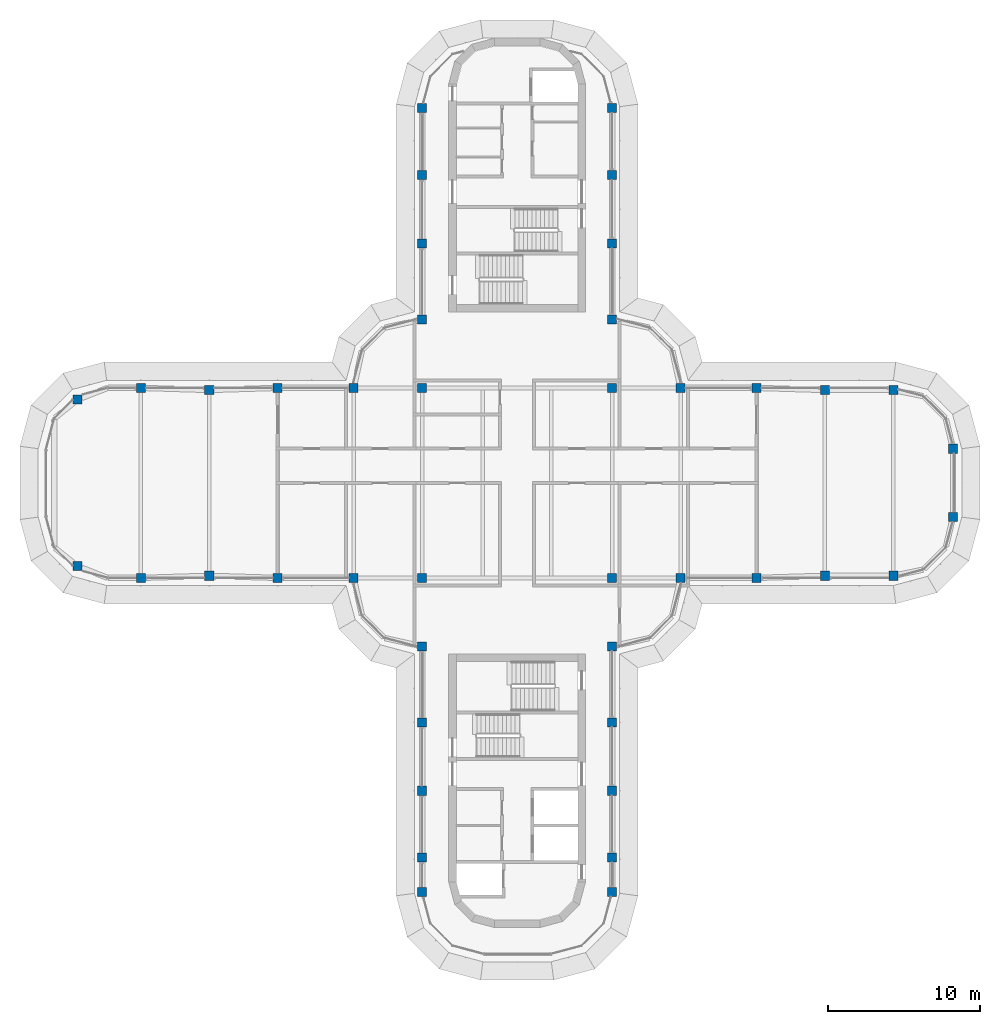
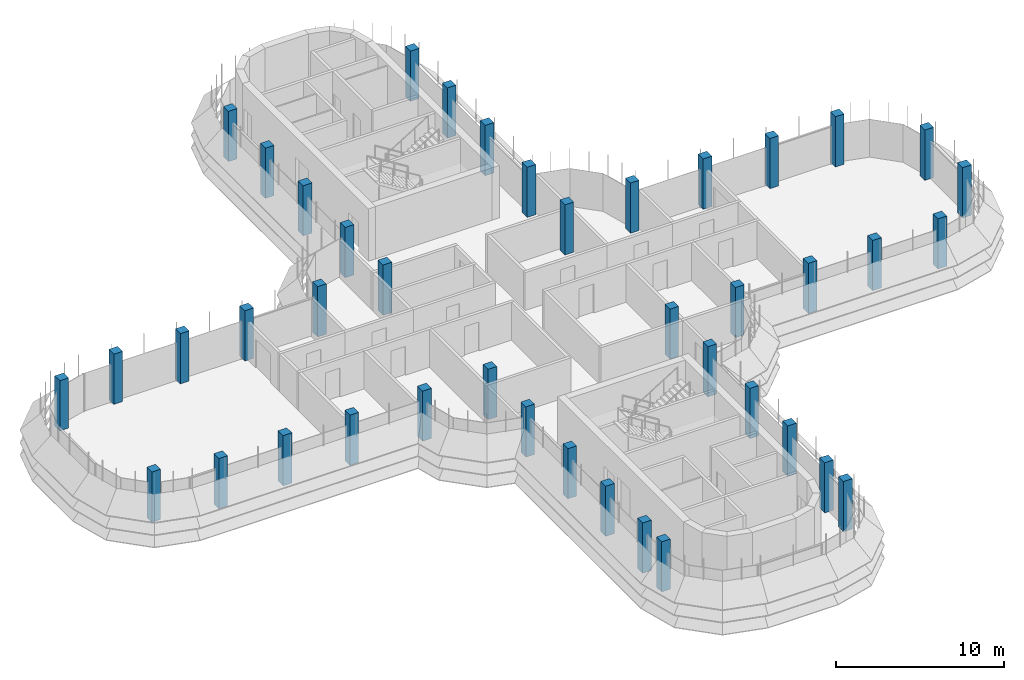
# One storey, part 1 of 19: 42 columns.
"""IFC4 building model written with IfcOpenShell, lengths in metres."""

from ifc_helpers import new_model, si_unit, direction, frame, origin, origin_2d, place, context, subcontext, project, spatial, rectangle, extrude, material, material_profile, profile_set, type_object, element, save


model = new_model("IFC4")

# Units and contexts
model_context = context("Model", 3, precision=1e-05, world=origin(), true_north=direction((0.0, 1.0)))
body_context = subcontext(model_context, "Body", "Model", "MODEL_VIEW")
ifc_project = project(units=[si_unit("LENGTHUNIT", "METRE"), si_unit("AREAUNIT", "SQUARE_METRE"), si_unit("VOLUMEUNIT", "CUBIC_METRE"), si_unit("PLANEANGLEUNIT", "RADIAN"), si_unit("MASSUNIT", "GRAM", prefix="KILO")], contexts=[model_context])

# Site, building, storey
site_placement = place(None, origin())
site = spatial("IfcSite", under=ifc_project, at=site_placement, CompositionType="ELEMENT")
building_placement = place(site_placement, origin())
building = spatial("IfcBuilding", under=site, at=building_placement, Name="Zarbagh Exchange Tower", CompositionType="ELEMENT")
storey_placement = place(building_placement, frame((0.0, 0.0, 257.39990234375)))
storey = spatial("IfcBuildingStorey", under=building, at=storey_placement, Name="L63", CompositionType="ELEMENT", Elevation=257.39990234375)

# Columns
ifc_material = material(Name="Concrete C40/50", Category="concrete")
ifc_material_profile = material_profile(ifc_material, rectangle(XDim=0.60009765625, YDim=0.60009765625, at=origin_2d()), Name="RC column 600 x 600 C40/50")
ifc_profile_set = profile_set([ifc_material_profile], Name="Concrete C40/50")
column_type = type_object("IfcColumnType", Name="RC column 600 x 600 C40/50", PredefinedType="COLUMN", material=ifc_profile_set)
for number, where, z_axis, x_axis, name in (
    (1, (-28.907958984375, -5.47509765625, 0.0), (0.0, 0.0, 1.0), (1.0, 0.0, 0.0), "C6 11/R"),
    (2, (-28.907958984375, 5.47509765625, 0.0), (0.0, 0.0, 1.0), (1.0, 0.0, 0.0), "C6 11/U"),
    (3, (-24.75, -6.25, 0.0), (0.0, 0.0, 1.0), (1.0, 0.0, 0.0), "C6 12/R"),
    (4, (-24.75, 6.25, 0.0), (0.0, 0.0, 1.0), (1.0, 0.0, 0.0), "C6 12/U"),
    (5, (-20.25, -6.110107421875, 0.0), (0.0, 0.0, 1.0), (1.0, 0.0, 0.0), "C6 13/R"),
    (6, (-20.25, 6.110107421875, 0.0), (0.0, 0.0, 1.0), (1.0, 0.0, 0.0), "C6 13/U"),
    (7, (-15.75, -6.25, 0.0), (0.0, 0.0, 1.0), (1.0, 0.0, 0.0), "C6 14/R"),
    (8, (-15.75, 6.25, 0.0), (0.0, 0.0, 1.0), (1.0, 0.0, 0.0), "C6 14/U"),
    (9, (-10.75, -6.25, 0.0), (0.0, 0.0, 1.0), (1.0, 0.0, 0.0), "C6 15/R"),
    (10, (-10.75, 6.25, 0.0), (0.0, 0.0, 1.0), (1.0, 0.0, 0.0), "C6 15/U"),
    (11, (-6.25, -26.89990234375, 0.0), (0.0, 0.0, 1.0), (1.0, 0.0, 0.0), "C6 16/L"),
    (12, (-6.25, -24.64990234375, 0.0), (0.0, 0.0, 1.0), (1.0, 0.0, 0.0), "C6 16/M"),
    (13, (-6.25, -20.25, 0.0), (0.0, 0.0, 1.0), (1.0, 0.0, 0.0), "C6 16/N"),
    (14, (-6.25, -15.75, 0.0), (0.0, 0.0, 1.0), (1.0, 0.0, 0.0), "C6 16/P"),
    (15, (-6.25, -10.75, 0.0), (0.0, 0.0, 1.0), (1.0, 0.0, 0.0), "C6 16/Q"),
    (16, (-6.25, -6.25, 0.0), (0.0, 0.0, 1.0), (1.0, 0.0, 0.0), "C6 16/R"),
    (17, (-6.25, 6.25, 0.0), (0.0, 0.0, 1.0), (1.0, 0.0, 0.0), "C6 16/U"),
    (18, (-6.25, 10.75, 0.0), (0.0, 0.0, 1.0), (1.0, 0.0, 0.0), "C6 16/V"),
    (19, (-6.25, 15.75, 0.0), (0.0, 0.0, 1.0), (1.0, 0.0, 0.0), "C6 16/W"),
    (20, (-6.25, 20.25, 0.0), (0.0, 0.0, 1.0), (1.0, 0.0, 0.0), "C6 16/X"),
    (21, (-6.25, 24.64990234375, 0.0), (0.0, 0.0, 1.0), (1.0, 0.0, 0.0), "C6 16/Y"),
    (22, (6.25, -26.89990234375, 0.0), (0.0, 0.0, 1.0), (1.0, 0.0, 0.0), "C6 19/L"),
    (23, (6.25, -24.64990234375, 0.0), (0.0, 0.0, 1.0), (1.0, 0.0, 0.0), "C6 19/M"),
    (24, (6.25, -20.25, 0.0), (0.0, 0.0, 1.0), (1.0, 0.0, 0.0), "C6 19/N"),
    (25, (6.25, -15.75, 0.0), (0.0, 0.0, 1.0), (1.0, 0.0, 0.0), "C6 19/P"),
    (26, (6.25, -10.75, 0.0), (0.0, 0.0, 1.0), (1.0, 0.0, 0.0), "C6 19/Q"),
    (27, (6.25, -6.25, 0.0), (0.0, 0.0, 1.0), (1.0, 0.0, 0.0), "C6 19/R"),
    (28, (6.25, 6.25, 0.0), (0.0, 0.0, 1.0), (1.0, 0.0, 0.0), "C6 19/U"),
    (29, (6.25, 10.75, 0.0), (0.0, 0.0, 1.0), (1.0, 0.0, 0.0), "C6 19/V"),
    (30, (6.25, 15.75, 0.0), (0.0, 0.0, 1.0), (1.0, 0.0, 0.0), "C6 19/W"),
    (31, (6.25, 20.25, 0.0), (0.0, 0.0, 1.0), (1.0, 0.0, 0.0), "C6 19/X"),
    (32, (6.25, 24.64990234375, 0.0), (0.0, 0.0, 1.0), (1.0, 0.0, 0.0), "C6 19/Y"),
    (33, (10.75, -6.25, 0.0), (0.0, 0.0, 1.0), (1.0, 0.0, 0.0), "C6 20/R"),
    (34, (10.75, 6.25, 0.0), (0.0, 0.0, 1.0), (1.0, 0.0, 0.0), "C6 20/U"),
    (35, (15.75, -6.25, 0.0), (0.0, 0.0, 1.0), (1.0, 0.0, 0.0), "C6 21/R"),
    (36, (15.75, 6.25, 0.0), (0.0, 0.0, 1.0), (1.0, 0.0, 0.0), "C6 21/U"),
    (37, (20.25, -6.110107421875, 0.0), (0.0, 0.0, 1.0), (1.0, 0.0, 0.0), "C6 22/R"),
    (38, (20.25, 6.110107421875, 0.0), (0.0, 0.0, 1.0), (1.0, 0.0, 0.0), "C6 22/U"),
    (39, (24.75, -6.110107421875, 0.0), (0.0, 0.0, 1.0), (1.0, 0.0, 0.0), "C6 23/R"),
    (40, (24.75, 6.110107421875, 0.0), (0.0, 0.0, 1.0), (1.0, 0.0, 0.0), "C6 23/U"),
    (41, (28.669921875, -2.25, 0.0), (0.0, 0.0, 1.0), (1.0, 0.0, 0.0), "C6 24/S"),
    (42, (28.669921875, 2.25, 0.0), (0.0, 0.0, 1.0), (1.0, 0.0, 0.0), "C6 24/T"),
):
    element("IfcColumn", number, at=place(storey_placement, frame(where, z_axis=z_axis, x_axis=x_axis)), inside=storey, type_object=column_type, Name=name, PredefinedType="COLUMN", context=body_context, shape_type="SweptSolid", body=[
        extrude(rectangle(XDim=0.60009765625, YDim=0.60009765625, at=origin_2d()), origin(), (0.0, 0.0, 1.0), 3.650146484375),
    ])

save(model, "model.ifc")
